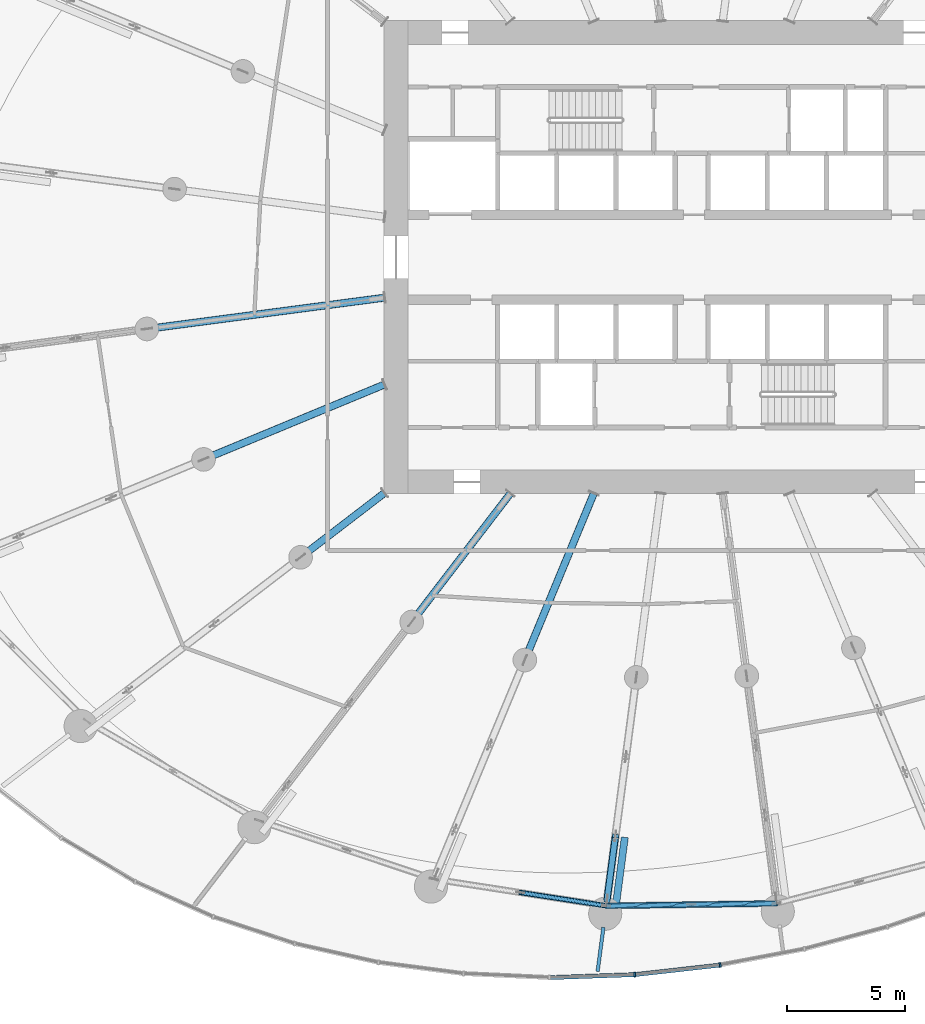
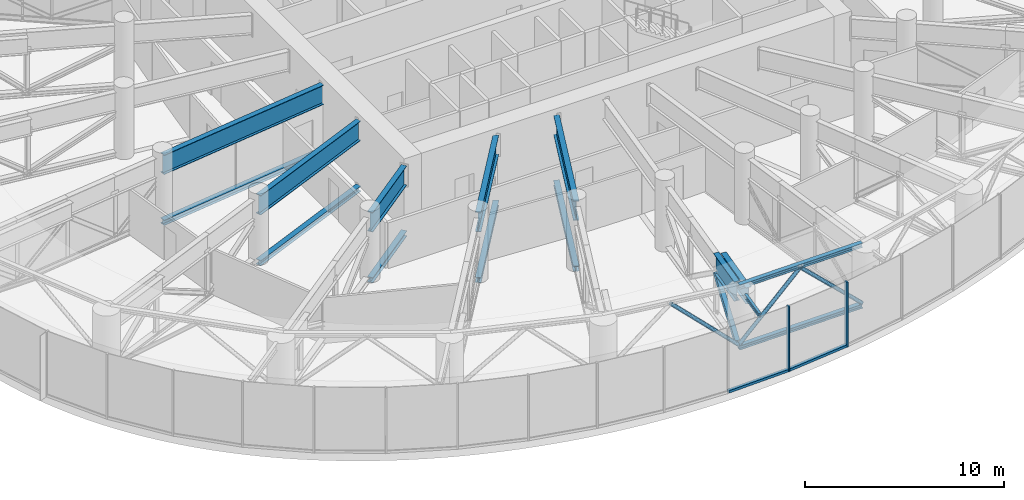
# One storey, part 5 of 42: 15 members, 8 beams, 2 elements without a shape of their own.
"""IFC4 building model written with IfcOpenShell, lengths in metres."""

from ifc_helpers import new_model, si_unit, direction, frame, origin, origin_2d, place, context, subcontext, project, spatial, rectangle, hollow_circle, i_section, extrude, source, transform, mapped, material, layer, layer_set, material_profile, profile_set, type_object, element, aggregate, save


model = new_model("IFC4")

# Units and contexts
model_context = context("Model", 3, precision=1e-05, world=origin(), true_north=direction((0.0, 1.0)))
body_context = subcontext(model_context, "Body", "Model", "MODEL_VIEW")
ifc_project = project(units=[si_unit("LENGTHUNIT", "METRE"), si_unit("AREAUNIT", "SQUARE_METRE"), si_unit("VOLUMEUNIT", "CUBIC_METRE"), si_unit("PLANEANGLEUNIT", "RADIAN"), si_unit("MASSUNIT", "GRAM", prefix="KILO")], contexts=[model_context])

# Site, building, storey
site_placement = place(None, origin())
site = spatial("IfcSite", under=ifc_project, at=site_placement, CompositionType="ELEMENT")
building_placement = place(site_placement, origin())
building = spatial("IfcBuilding", under=site, at=building_placement, Name="Spindrift Exchange Tower", CompositionType="ELEMENT")
storey_placement = place(building_placement, frame((0.0, 0.0, 75.39990234375)))
storey = spatial("IfcBuildingStorey", under=building, at=storey_placement, Name="L17", CompositionType="ELEMENT", Elevation=75.39990234375)

# Beams
ifc_material_1 = material(Name="Steel Grade 300", Category="steel")
ifc_material_profile_1 = material_profile(ifc_material_1, i_section(OverallWidth=0.14599609375, OverallDepth=0.251953125, WebThickness=0.006103515625, FlangeThickness=0.008544921875, FilletRadius=0.011962890625, at=origin_2d()), Name="250UB31.4")
ifc_profile_set_1 = profile_set([ifc_material_profile_1], Name="Steel Grade 300")
beam_type_1 = type_object("IfcBeamType", Name="Cantilever Beam 250UB31.4 Steel Grade 300", PredefinedType="BEAM", material=ifc_profile_set_1)
shared_shape_1 = source(origin(), body_context, "Body", "SweptSolid", [
    extrude(i_section(OverallWidth=0.14599609375, OverallDepth=0.251953125, WebThickness=0.006103515625, FlangeThickness=0.008544921875, FilletRadius=0.011962890625, at=origin_2d()), origin(), (0.0, 0.0, 1.0), 1.876220703125),
])
beam_1_placement = place(storey_placement, frame((48.269287109375, 19.66357421875, 3.8740234375), z_axis=(-0.130518469058, -0.991445878117, 0.0), x_axis=(0.991445878117, -0.130518469058, 0.0)))
element("IfcBeam", 1, at=beam_1_placement, inside=storey, type_object=beam_type_1, Name="L17 cantilever beam R18T", PredefinedType="BEAM", context=body_context, shape_type="MappedRepresentation", body=[
    mapped(shared_shape_1, transform((0.0, 0.0, 0.0), scale=1.0)),
])
ifc_material_profile_2 = material_profile(ifc_material_1, i_section(OverallWidth=0.300048828125, OverallDepth=1.199951171875, WebThickness=0.011962890625, FlangeThickness=0.028076171875, at=origin_2d()), Name="1200WB249")
ifc_profile_set_2 = profile_set([ifc_material_profile_2], Name="Steel Grade 300")
beam_type_2 = type_object("IfcBeamType", Name="Outrigger Truss Transfer Girder 1200WB249 Steel Grade 300", PredefinedType="BEAM", material=ifc_profile_set_2)
shared_shape_2 = source(origin(), body_context, "Body", "SweptSolid", [
    extrude(i_section(OverallWidth=0.300048828125, OverallDepth=1.199951171875, WebThickness=0.011962890625, FlangeThickness=0.028076171875, at=origin_2d()), origin(), (0.0, 0.0, 1.0), 10.140380859375),
])
beam_2_placement = place(storey_placement, frame((39.019775390625, 46.291015625, 3.400146484375), z_axis=(-0.991446262895, -0.130515546167, 0.0), x_axis=(0.130515546167, -0.991446262895, 0.0)))
element("IfcBeam", 2, at=beam_2_placement, inside=storey, type_object=beam_type_2, Name="L17 outrigger truss 13 top chord 1", PredefinedType="BEAM", context=body_context, shape_type="MappedRepresentation", body=[
    mapped(shared_shape_2, transform((0.0, 0.0, 0.0), scale=1.0)),
])

# Member
ifc_material_profile_3 = material_profile(ifc_material_1, i_section(OverallWidth=0.31103515625, OverallDepth=0.326904296875, WebThickness=0.015625, FlangeThickness=0.02490234375, FilletRadius=0.0166015625, at=origin_2d()), Name="310UC158")
ifc_profile_set_3 = profile_set([ifc_material_profile_3], Name="Steel Grade 300")
member_type_1 = type_object("IfcMemberType", Name="Outrigger Truss Chord 310UC158 Steel Grade 300", PredefinedType="CHORD", material=ifc_profile_set_3)
shared_shape_3 = source(origin(), body_context, "Body", "SweptSolid", [
    extrude(i_section(OverallWidth=0.31103515625, OverallDepth=0.326904296875, WebThickness=0.015625, FlangeThickness=0.02490234375, FilletRadius=0.0166015625, at=origin_2d()), origin(), (0.0, 0.0, 1.0), 10.140380859375),
])
member_1_placement = place(storey_placement, frame((39.019775390625, 46.291015625, -0.163330078125), z_axis=(-0.991446262895, -0.130515546167, 0.0), x_axis=(0.130515546167, -0.991446262895, 0.0)))
element("IfcMember", 3, at=member_1_placement, inside=storey, type_object=member_type_1, Name="L17 outrigger truss 13 bottom chord 1", PredefinedType="CHORD", context=body_context, shape_type="MappedRepresentation", body=[
    mapped(shared_shape_3, transform((0.0, 0.0, 0.0), scale=1.0)),
])

# Beam
shared_shape_4 = source(origin(), body_context, "Body", "SweptSolid", [
    extrude(i_section(OverallWidth=0.300048828125, OverallDepth=1.199951171875, WebThickness=0.011962890625, FlangeThickness=0.028076171875, at=origin_2d()), origin(), (0.0, 0.0, 1.0), 8.288818359375),
])
beam_3_placement = place(storey_placement, frame((39.0185546875, 42.622802734375, 3.400146484375), z_axis=(-0.923886163861, -0.382667422478, 0.0), x_axis=(0.382667422478, -0.923886163861, 0.0)))
element("IfcBeam", 4, at=beam_3_placement, inside=storey, type_object=beam_type_2, Name="L17 outrigger truss 14 top chord 1", PredefinedType="BEAM", context=body_context, shape_type="MappedRepresentation", body=[
    mapped(shared_shape_4, transform((0.0, 0.0, 0.0), scale=1.0)),
])

# Member
shared_shape_5 = source(origin(), body_context, "Body", "SweptSolid", [
    extrude(i_section(OverallWidth=0.31103515625, OverallDepth=0.326904296875, WebThickness=0.015625, FlangeThickness=0.02490234375, FilletRadius=0.0166015625, at=origin_2d()), origin(), (0.0, 0.0, 1.0), 8.288818359375),
])
member_2_placement = place(storey_placement, frame((39.0185546875, 42.622802734375, -0.163330078125), z_axis=(-0.923886163861, -0.382667422478, 0.0), x_axis=(0.382667422478, -0.923886163861, 0.0)))
element("IfcMember", 5, at=member_2_placement, inside=storey, type_object=member_type_1, Name="L17 outrigger truss 14 bottom chord 1", PredefinedType="CHORD", context=body_context, shape_type="MappedRepresentation", body=[
    mapped(shared_shape_5, transform((0.0, 0.0, 0.0), scale=1.0)),
])

# Beam
shared_shape_6 = source(origin(), body_context, "Body", "SweptSolid", [
    extrude(i_section(OverallWidth=0.300048828125, OverallDepth=1.199951171875, WebThickness=0.011962890625, FlangeThickness=0.028076171875, at=origin_2d()), origin(), (0.0, 0.0, 1.0), 4.4755859375),
])
beam_4_placement = place(storey_placement, frame((39.015869140625, 38.036865234375, 3.400146484375), z_axis=(-0.793379783148, -0.608726966457, 0.0), x_axis=(0.608726966457, -0.793379783148, 0.0)))
element("IfcBeam", 6, at=beam_4_placement, inside=storey, type_object=beam_type_2, Name="L17 outrigger truss 15 top chord 1", PredefinedType="BEAM", context=body_context, shape_type="MappedRepresentation", body=[
    mapped(shared_shape_6, transform((0.0, 0.0, 0.0), scale=1.0)),
])

# Member
shared_shape_7 = source(origin(), body_context, "Body", "SweptSolid", [
    extrude(i_section(OverallWidth=0.31103515625, OverallDepth=0.326904296875, WebThickness=0.015625, FlangeThickness=0.02490234375, FilletRadius=0.0166015625, at=origin_2d()), origin(), (0.0, 0.0, 1.0), 4.4755859375),
])
member_3_placement = place(storey_placement, frame((39.015869140625, 38.036865234375, -0.163330078125), z_axis=(-0.793379783148, -0.608726966457, 0.0), x_axis=(0.608726966457, -0.793379783148, 0.0)))
element("IfcMember", 7, at=member_3_placement, inside=storey, type_object=member_type_1, Name="L17 outrigger truss 15 bottom chord 1", PredefinedType="CHORD", context=body_context, shape_type="MappedRepresentation", body=[
    mapped(shared_shape_7, transform((0.0, 0.0, 0.0), scale=1.0)),
])

# Beam
shared_shape_8 = source(origin(), body_context, "Body", "SweptSolid", [
    extrude(i_section(OverallWidth=0.300048828125, OverallDepth=1.199951171875, WebThickness=0.011962890625, FlangeThickness=0.028076171875, at=origin_2d()), origin(), (0.0, 0.0, 1.0), 6.856689453125),
])
beam_5_placement = place(storey_placement, frame((44.3388671875, 38.015869140625, 3.400146484375), z_axis=(-0.608765628414, -0.793350117956, 0.0), x_axis=(0.793350117956, -0.608765628414, 0.0)))
element("IfcBeam", 8, at=beam_5_placement, inside=storey, type_object=beam_type_2, Name="L17 outrigger truss 16 top chord 1", PredefinedType="BEAM", context=body_context, shape_type="MappedRepresentation", body=[
    mapped(shared_shape_8, transform((0.0, 0.0, 0.0), scale=1.0)),
])

# Member
shared_shape_9 = source(origin(), body_context, "Body", "SweptSolid", [
    extrude(i_section(OverallWidth=0.31103515625, OverallDepth=0.326904296875, WebThickness=0.015625, FlangeThickness=0.02490234375, FilletRadius=0.0166015625, at=origin_2d()), origin(), (0.0, 0.0, 1.0), 6.856689453125),
])
member_4_placement = place(storey_placement, frame((44.3388671875, 38.015869140625, -0.163330078125), z_axis=(-0.608765628414, -0.793350117956, 0.0), x_axis=(0.793350117956, -0.608765628414, 0.0)))
element("IfcMember", 9, at=member_4_placement, inside=storey, type_object=member_type_1, Name="L17 outrigger truss 16 bottom chord 1", PredefinedType="CHORD", context=body_context, shape_type="MappedRepresentation", body=[
    mapped(shared_shape_9, transform((0.0, 0.0, 0.0), scale=1.0)),
])

# Beam
shared_shape_10 = source(origin(), body_context, "Body", "SweptSolid", [
    extrude(i_section(OverallWidth=0.300048828125, OverallDepth=1.199951171875, WebThickness=0.011962890625, FlangeThickness=0.028076171875, at=origin_2d()), origin(), (0.0, 0.0, 1.0), 7.630615234375),
])
beam_6_placement = place(storey_placement, frame((47.865478515625, 38.0185546875, 3.400146484375), z_axis=(-0.382688052328, -0.923877618846, 0.0), x_axis=(0.923877618846, -0.382688052328, 0.0)))
element("IfcBeam", 10, at=beam_6_placement, inside=storey, type_object=beam_type_2, Name="L17 outrigger truss 17 top chord 1", PredefinedType="BEAM", context=body_context, shape_type="MappedRepresentation", body=[
    mapped(shared_shape_10, transform((0.0, 0.0, 0.0), scale=1.0)),
])

# Member
shared_shape_11 = source(origin(), body_context, "Body", "SweptSolid", [
    extrude(i_section(OverallWidth=0.31103515625, OverallDepth=0.326904296875, WebThickness=0.015625, FlangeThickness=0.02490234375, FilletRadius=0.0166015625, at=origin_2d()), origin(), (0.0, 0.0, 1.0), 7.630615234375),
])
member_5_placement = place(storey_placement, frame((47.865478515625, 38.0185546875, -0.163330078125), z_axis=(-0.382688052328, -0.923877618846, 0.0), x_axis=(0.923877618846, -0.382688052328, 0.0)))
element("IfcMember", 11, at=member_5_placement, inside=storey, type_object=member_type_1, Name="L17 outrigger truss 17 bottom chord 1", PredefinedType="CHORD", context=body_context, shape_type="MappedRepresentation", body=[
    mapped(shared_shape_11, transform((0.0, 0.0, 0.0), scale=1.0)),
])

# Beam
shared_shape_12 = source(origin(), body_context, "Body", "SweptSolid", [
    extrude(i_section(OverallWidth=0.300048828125, OverallDepth=1.199951171875, WebThickness=0.011962890625, FlangeThickness=0.028076171875, at=origin_2d()), origin(), (0.0, 0.0, 1.0), 2.73291015625),
])
beam_7_placement = place(storey_placement, frame((48.777587890625, 23.523193359375, 3.400146484375), z_axis=(-0.130519218223, -0.991445779493, 0.0), x_axis=(0.991445779493, -0.130519218223, 0.0)))
element("IfcBeam", 12, at=beam_7_placement, inside=storey, type_object=beam_type_2, Name="L17 outrigger truss 18 top chord 4", PredefinedType="BEAM", context=body_context, shape_type="MappedRepresentation", body=[
    mapped(shared_shape_12, transform((0.0, 0.0, 0.0), scale=1.0)),
])

# Members
ifc_material_profile_4 = material_profile(ifc_material_1, i_section(OverallWidth=0.256103515625, OverallDepth=0.260009765625, WebThickness=0.010498046875, FlangeThickness=0.017333984375, FilletRadius=0.011962890625, at=origin_2d()), Name="250UC89.5")
ifc_profile_set_4 = profile_set([ifc_material_profile_4], Name="Steel Grade 300")
member_type_2 = type_object("IfcMemberType", Name="Outrigger Truss Diagonal 250UC89.5 Steel Grade 300", PredefinedType="BRACE", material=ifc_profile_set_4)
shared_shape_13 = source(origin(), body_context, "Body", "SweptSolid", [
    extrude(i_section(OverallWidth=0.256103515625, OverallDepth=0.260009765625, WebThickness=0.010498046875, FlangeThickness=0.017333984375, FilletRadius=0.011962890625, at=origin_2d()), origin(), (0.0, 0.0, 1.0), 3.685546875),
])
member_6_placement = place(storey_placement, frame((48.777587890625, 23.523193359375, 2.800048828125), z_axis=(-0.096779000996, -0.735149454522, -0.670961328604), x_axis=(0.991445779493, -0.130519218223, 0.0)))
element("IfcMember", 13, at=member_6_placement, inside=storey, type_object=member_type_2, Name="L17 outrigger truss 18 diagonal 4", PredefinedType="BRACE", context=body_context, shape_type="MappedRepresentation", body=[
    mapped(shared_shape_13, transform((0.0, 0.0, 0.0), scale=1.0)),
])
ifc_material_2 = material(Name="Steel Grade 350", Category="steel")
ifc_material_profile_5 = material_profile(ifc_material_2, hollow_circle(Radius=0.109619140625, WallThickness=0.00830078125, at=origin_2d()), Name="219.1x8.2CHS")
ifc_profile_set_5 = profile_set([ifc_material_profile_5], Name="Steel Grade 350")
member_type_3 = type_object("IfcMemberType", Name="Belt Truss Diagonal 219.1x8.2CHS Steel Grade 350", PredefinedType="BRACE", material=ifc_profile_set_5)
shared_shape_14 = source(origin(), body_context, "Body", "SweptSolid", [
    extrude(hollow_circle(Radius=0.109619140625, WallThickness=0.00830078125, at=origin_2d()), origin(), (0.0, 0.0, 1.0), 5.068115234375),
])
member_7_placement = place(storey_placement, frame((44.748291015625, 21.13916015625, 3.739990234375), z_axis=(0.718439799585, -0.111181377058, -0.686646164897), x_axis=(0.15293347261, 0.988236486351, 0.0)))
element("IfcMember", 14, at=member_7_placement, inside=storey, type_object=member_type_3, Name="L17 belt truss 17 diagonal 2", PredefinedType="BRACE", context=body_context, shape_type="MappedRepresentation", body=[
    mapped(shared_shape_14, transform((0.0, 0.0, 0.0), scale=1.0)),
])
ifc_material_profile_6 = material_profile(ifc_material_1, i_section(OverallWidth=0.256103515625, OverallDepth=0.260009765625, WebThickness=0.010498046875, FlangeThickness=0.017333984375, FilletRadius=0.011962890625, at=origin_2d()), Name="250UC89.5")
ifc_profile_set_6 = profile_set([ifc_material_profile_6], Name="Steel Grade 300")
member_type_4 = type_object("IfcMemberType", Name="Belt Truss Chord 250UC89.5 Steel Grade 300", PredefinedType="CHORD", material=ifc_profile_set_6)
shared_shape_15 = source(origin(), body_context, "Body", "SweptSolid", [
    extrude(i_section(OverallWidth=0.256103515625, OverallDepth=0.260009765625, WebThickness=0.010498046875, FlangeThickness=0.017333984375, FilletRadius=0.011962890625, at=origin_2d()), origin(), (0.0, 0.0, 1.0), 7.208740234375),
])
for number, where, z_axis, x_axis, name in (
    (15, (48.389404296875, 20.57568359375, 3.8701171875), (0.99990358946, 0.013885668327, 0.0), (-0.013885668327, 0.99990358946, 0.0), "L17 belt truss 18 top chord"),
    (16, (48.389404296875, 20.57568359375, 0.130126953125), (0.99990358946, 0.013885668327, 0.0), (-0.013885668327, 0.99990358946, 0.0), "L17 belt truss 18 bottom chord"),
):
    element("IfcMember", number, at=place(storey_placement, frame(where, z_axis=z_axis, x_axis=x_axis)), inside=storey, type_object=member_type_4, Name=name, PredefinedType="CHORD", context=body_context, shape_type="MappedRepresentation", body=[
        mapped(shared_shape_15, transform((0.0, 0.0, 0.0), scale=1.0)),
    ])
shared_shape_16 = source(origin(), body_context, "Body", "SweptSolid", [
    extrude(hollow_circle(Radius=0.109619140625, WallThickness=0.00830078125, at=origin_2d()), origin(), (0.0, 0.0, 1.0), 5.01025390625),
])
for number, where, z_axis, x_axis, name in (
    (17, (48.389404296875, 20.57568359375, 0.260009765625), (0.719340375536, 0.00998948496, 0.694585944512), (-0.013885668327, 0.99990358946, 0.0), "L17 belt truss 18 diagonal 1"),
    (18, (51.993408203125, 20.625732421875, 3.739990234375), (0.719340375536, 0.00998948496, -0.694585944512), (-0.013885668327, 0.99990358946, 0.0), "L17 belt truss 18 diagonal 2"),
):
    element("IfcMember", number, at=place(storey_placement, frame(where, z_axis=z_axis, x_axis=x_axis)), inside=storey, type_object=member_type_3, Name=name, PredefinedType="BRACE", context=body_context, shape_type="MappedRepresentation", body=[
        mapped(shared_shape_16, transform((0.0, 0.0, 0.0), scale=1.0)),
    ])

# Beam
ifc_material_profile_7 = material_profile(ifc_material_1, i_section(OverallWidth=0.300048828125, OverallDepth=1.0, WebThickness=0.010009765625, FlangeThickness=0.02001953125, at=origin_2d()), Name="1000WB215")
ifc_profile_set_7 = profile_set([ifc_material_profile_7], Name="Steel Grade 300")
beam_type_3 = type_object("IfcBeamType", Name="Transfer Tie Beam 1000WB215 Steel Grade 300", PredefinedType="BEAM", material=ifc_profile_set_7)
shared_shape_17 = source(origin(), body_context, "Body", "SweptSolid", [
    extrude(i_section(OverallWidth=0.300048828125, OverallDepth=1.0, WebThickness=0.010009765625, FlangeThickness=0.02001953125, at=origin_2d()), origin(), (0.0, 0.0, 1.0), 3.31298828125),
])
beam_8_placement = place(storey_placement, frame((48.74169921875, 20.186279296875, 3.400146484375), z_axis=(0.130580322852, 0.991437733438, 0.0), x_axis=(-0.991437733438, 0.130580322852, 0.0)))
element("IfcBeam", 19, at=beam_8_placement, inside=storey, type_object=beam_type_3, Name="L17 transfer tie beam K18", PredefinedType="BEAM", context=body_context, shape_type="MappedRepresentation", body=[
    mapped(shared_shape_17, transform((0.0, 0.0, 0.0), scale=1.0)),
])

# Curtain wall, members
ifc_material_3 = material(Name="Fritted laminated glass with bronze frame", Category="glass")
ifc_layer = layer(ifc_material_3, 0.199951171875)
ifc_layer_set = layer_set([ifc_layer], Name="ZONE 1 BRONZE FRITTED WALL")
curtain_wall_type = type_object("IfcCurtainWallType", Name="ZONE 1 BRONZE FRITTED WALL", PredefinedType="NOTDEFINED", material=ifc_layer_set)
curtain_wall_1_placement = place(storey_placement, origin())
curtain_wall_1 = element("IfcCurtainWall", 20, at=curtain_wall_1_placement, inside=storey, type_object=curtain_wall_type, Name="L17 Zone 1 Bronze Fritted Wall run 7", PredefinedType="NOTDEFINED")
ifc_material_4 = material(Name="Bronze anodised aluminium", Category="aluminium")
ifc_material_profile_8 = material_profile(ifc_material_4, rectangle(XDim=0.179931640625, YDim=0.14990234375, at=origin_2d()), Name="ZONE 1 BRONZE FRITTED WALL TRANSOM 180X150")
ifc_profile_set_8 = profile_set([ifc_material_profile_8], Name="Bronze anodised aluminium")
member_type_5 = type_object("IfcMemberType", Name="ZONE 1 BRONZE FRITTED WALL TRANSOM 180X150", PredefinedType="USERDEFINED", material=ifc_profile_set_8)
shared_shape_18 = source(origin(), body_context, "Body", "SweptSolid", [
    extrude(rectangle(XDim=0.179931640625, YDim=0.14990234375, at=origin_2d()), origin(), (0.0, 0.0, 1.0), 3.54736328125),
])
member_8_placement = place(storey_placement, frame((46.013427734375, 17.541015625, 0.0751953125), z_axis=(0.999395820503, 0.034756207517, 0.0), x_axis=(-0.034756207517, 0.999395820503, 0.0)))
member_8 = element("IfcMember", 21, at=member_8_placement, type_object=member_type_5, Name="L17 transom CW-1.41", ObjectType="TRANSOM", PredefinedType="USERDEFINED", context=body_context, shape_type="MappedRepresentation", body=[
    mapped(shared_shape_18, transform((0.0, 0.0, 0.0), scale=1.0)),
])
member_9_placement = place(storey_placement, frame((49.638427734375, 17.670166015625, 0.0751953125), z_axis=(0.993749557568, 0.111632507956, 0.0), x_axis=(-0.111632507956, 0.993749557568, 0.0)))
member_9 = element("IfcMember", 22, at=member_9_placement, type_object=member_type_5, Name="L17 transom CW-1.42", ObjectType="TRANSOM", PredefinedType="USERDEFINED", context=body_context, shape_type="MappedRepresentation", body=[
    mapped(shared_shape_18, transform((0.0, 0.0, 0.0), scale=1.0)),
])
ifc_material_profile_9 = material_profile(ifc_material_4, rectangle(XDim=0.080078125, YDim=0.199951171875, at=origin_2d()), Name="ZONE 1 BRONZE FRITTED WALL MULLION 80X200")
ifc_profile_set_9 = profile_set([ifc_material_profile_9], Name="Bronze anodised aluminium")
member_type_6 = type_object("IfcMemberType", Name="ZONE 1 BRONZE FRITTED WALL MULLION 80X200", PredefinedType="MULLION", material=ifc_profile_set_9)
shared_shape_19 = source(origin(), body_context, "Body", "SweptSolid", [
    extrude(rectangle(XDim=0.080078125, YDim=0.199951171875, at=origin_2d()), origin(), (0.0, 0.0, 1.0), 4.0),
])
member_10_placement = place(storey_placement, frame((49.5986328125, 17.66552734375, 0.0), z_axis=(0.0, 0.0, 1.0), x_axis=(0.997314749092, 0.073234494903, 0.0)))
member_10 = element("IfcMember", 23, at=member_10_placement, type_object=member_type_6, Name="L17 mullion CW-1.42", PredefinedType="MULLION", context=body_context, shape_type="MappedRepresentation", body=[
    mapped(shared_shape_19, transform((0.0, 0.0, 0.0), scale=1.0)),
])
aggregate(curtain_wall_1, [member_8, member_10, member_9])

# Curtain wall, member
curtain_wall_2_placement = place(storey_placement, origin())
curtain_wall_2 = element("IfcCurtainWall", 24, at=curtain_wall_2_placement, inside=storey, type_object=curtain_wall_type, Name="L17 Zone 1 Bronze Fritted Wall run 8", PredefinedType="NOTDEFINED")
member_11_placement = place(storey_placement, frame((53.203369140625, 18.070556640625, 0.0), z_axis=(0.0, 0.0, 1.0), x_axis=(0.988868484844, 0.148792203031, 0.0)))
member_11 = element("IfcMember", 25, at=member_11_placement, type_object=member_type_6, Name="L17 mullion CW-1.43", PredefinedType="MULLION", context=body_context, shape_type="MappedRepresentation", body=[
    mapped(shared_shape_19, transform((0.0, 0.0, 0.0), scale=1.0)),
])
aggregate(curtain_wall_2, [member_11])

save(model, "model.ifc")
